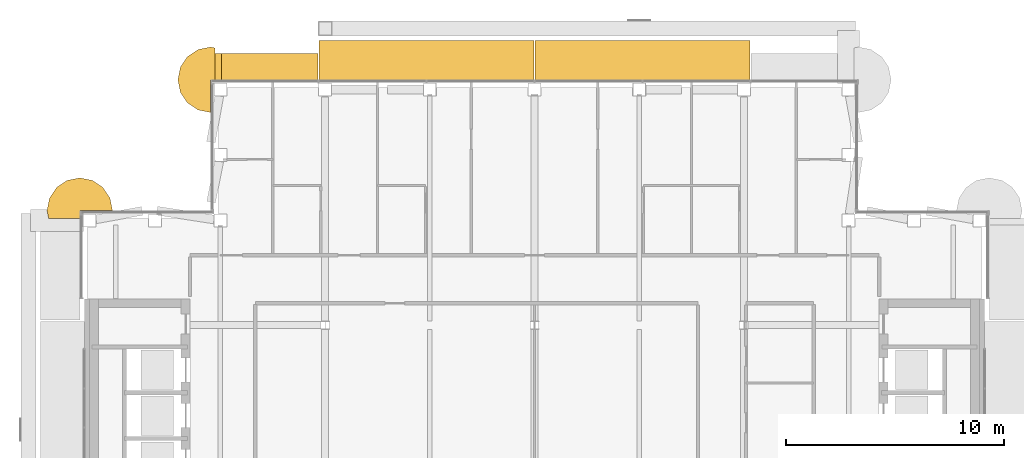
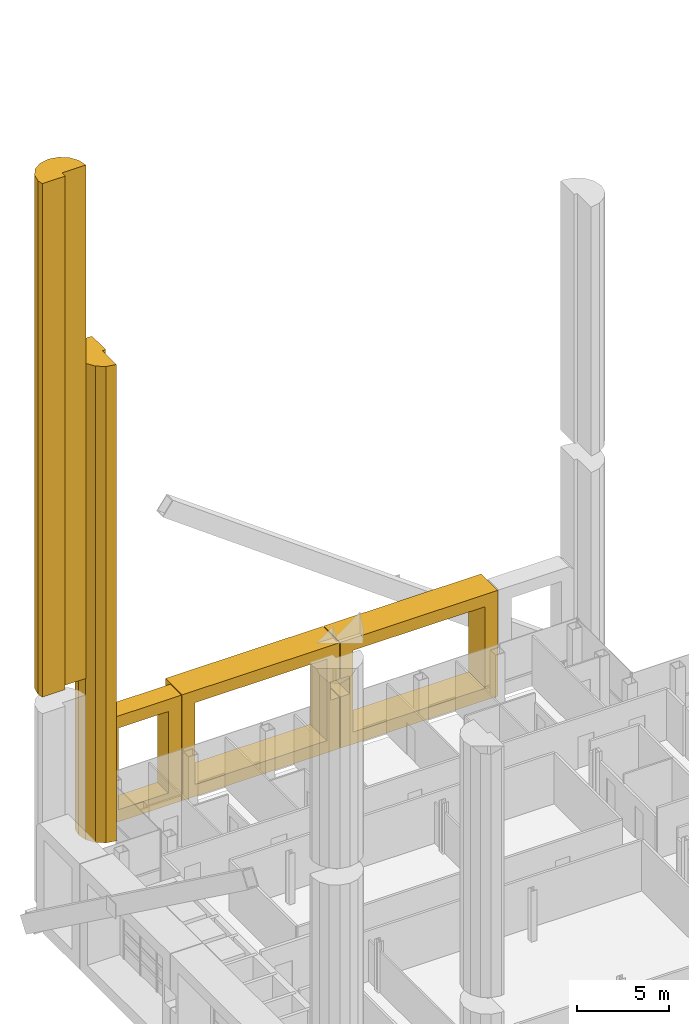
# One storey, part 26 of 29: 5 coverings.
"""IFC4 building model written with IfcOpenShell, lengths in metres."""

from ifc_helpers import new_model, si_unit, direction, frame, origin, place, context, subcontext, project, spatial, polyline, outline, extrude, material, type_object, element, save


model = new_model("IFC4")

# Units and contexts
model_context = context("Model", 3, precision=1e-05, world=origin(), true_north=direction((0.0, 1.0)))
body_context = subcontext(model_context, "Body", "Model", "MODEL_VIEW")
ifc_project = project(units=[si_unit("LENGTHUNIT", "METRE"), si_unit("AREAUNIT", "SQUARE_METRE"), si_unit("VOLUMEUNIT", "CUBIC_METRE"), si_unit("PLANEANGLEUNIT", "RADIAN"), si_unit("MASSUNIT", "GRAM", prefix="KILO")], contexts=[model_context])

# Site, building, storey
site_placement = place(None, origin())
site = spatial("IfcSite", under=ifc_project, at=site_placement, CompositionType="ELEMENT")
building_placement = place(site_placement, origin())
building = spatial("IfcBuilding", under=site, at=building_placement, Name="Cobrizo Arcos Hotel Tower", CompositionType="ELEMENT")
storey_placement = place(building_placement, frame((0.0, 0.0, 241.0)))
storey = spatial("IfcBuildingStorey", under=building, at=storey_placement, Name="L63", CompositionType="ELEMENT", Elevation=241.0)

# Coverings
ifc_material_1 = material(Name="Aluminium 6063-T6 anodised bronze", Category="aluminium")
covering_type_1 = type_object("IfcCoveringType", Name="FIN-F 1200", PredefinedType="CLADDING", material=ifc_material_1)
covering_1_placement = place(storey_placement, frame((-9.925048828125, 20.85009765625, 0.0), z_axis=(0.0, 1.0, 0.0), x_axis=(-1.0, 0.0, 0.0)))
element("IfcCovering", 1, at=covering_1_placement, inside=storey, type_object=covering_type_1, Name="Fin frame 366", PredefinedType="CLADDING", context=body_context, shape_type="SweptSolid", body=[
    extrude(outline(polyline([(0.0, 7.0), (0.0, 0.0), (4.425048828125, 0.0), (4.72509765625, 0.300048828125), (4.72509765625, 6.699951171875), (4.425048828125, 7.0), (0.0, 7.0)]), holes=[polyline([(3.925048828125, 0.800048828125), (0.800048828125, 0.800048828125), (0.800048828125, 6.199951171875), (3.925048828125, 6.199951171875), (3.925048828125, 0.800048828125)])]), origin(), (0.0, 0.0, 1.0), 1.199951171875),
])
covering_type_2 = type_object("IfcCoveringType", Name="FIN-F 1800", PredefinedType="CLADDING", material=ifc_material_1)
covering_2_placement = place(storey_placement, frame((9.875, 20.85009765625, 0.0), z_axis=(0.0, 1.0, 0.0), x_axis=(-1.0, 0.0, 0.0)))
element("IfcCovering", 2, at=covering_2_placement, inside=storey, type_object=covering_type_2, Name="Fin frame 364", PredefinedType="CLADDING", context=body_context, shape_type="SweptSolid", body=[
    extrude(outline(polyline([(9.85009765625, 0.0), (9.85009765625, 3.39794921875), (9.27294921875, 3.39794921875), (9.27294921875, 4.60205078125), (9.85009765625, 4.60205078125), (9.85009765625, 7.0), (0.0, 7.0), (0.0, 0.0), (9.85009765625, 0.0)]), holes=[polyline([(9.050048828125, 0.800048828125), (0.800048828125, 0.800048828125), (0.800048828125, 6.199951171875), (9.050048828125, 6.199951171875), (9.050048828125, 0.800048828125)])]), origin(), (0.0, 0.0, 1.0), 1.7998046875),
])
covering_3_placement = place(storey_placement, frame((-0.02490234375, 20.85009765625, 0.0), z_axis=(0.0, 1.0, 0.0), x_axis=(-1.0, 0.0, 0.0)))
element("IfcCovering", 3, at=covering_3_placement, inside=storey, type_object=covering_type_2, Name="Fin frame 365", PredefinedType="CLADDING", context=body_context, shape_type="SweptSolid", body=[
    extrude(outline(polyline([(0.0, 7.0), (0.0, 4.60205078125), (0.576904296875, 4.60205078125), (0.576904296875, 3.39794921875), (0.0, 3.39794921875), (0.0, 0.0), (9.85009765625, 0.0), (9.85009765625, 7.0), (0.0, 7.0)]), holes=[polyline([(9.050048828125, 0.800048828125), (0.800048828125, 0.800048828125), (0.800048828125, 6.199951171875), (9.050048828125, 6.199951171875), (9.050048828125, 0.800048828125)])]), origin(), (0.0, 0.0, 1.0), 1.7998046875),
])
ifc_material_2 = material(Name="Aluminium 6063-T6 anodised pale", Category="aluminium")
covering_type_3 = type_object("IfcCoveringType", Name="RB-2 notch bullnose roll R1500", PredefinedType="CLADDING", material=ifc_material_2)
covering_4_placement = place(storey_placement, origin())
element("IfcCovering", 4, at=covering_4_placement, inside=storey, type_object=covering_type_3, Name="Notch bullnose roll 34", PredefinedType="CLADDING", context=body_context, shape_type="SweptSolid", body=[
    extrude(outline(polyline([(-15.91064453125, 19.789306640625), (-15.424072265625, 19.464111328125), (-14.85009765625, 19.35009765625), (-14.85009765625, 20.85009765625), (-14.64990234375, 20.85009765625), (-14.64990234375, 22.310302734375), (-14.85009765625, 22.35009765625), (-15.424072265625, 22.23583984375), (-15.91064453125, 21.91064453125), (-16.23583984375, 21.424072265625), (-16.35009765625, 20.85009765625), (-16.23583984375, 20.27587890625), (-15.91064453125, 19.789306640625)])), origin(), (0.0, 0.0, 1.0), 31.5),
])
covering_5_placement = place(storey_placement, frame((0.0, 0.0, 15.050048828125)))
element("IfcCovering", 5, at=covering_5_placement, inside=storey, type_object=covering_type_3, Name="Notch bullnose roll 39 part 2", PredefinedType="CLADDING", context=body_context, shape_type="SweptSolid", body=[
    extrude(outline(polyline([(-19.789306640625, 15.91064453125), (-20.27587890625, 16.23583984375), (-20.85009765625, 16.35009765625), (-21.424072265625, 16.23583984375), (-21.91064453125, 15.91064453125), (-22.23583984375, 15.424072265625), (-22.35009765625, 14.85009765625), (-22.280517578125, 14.5), (-20.85009765625, 14.5), (-20.85009765625, 14.85009765625), (-19.35009765625, 14.85009765625), (-19.464111328125, 15.424072265625), (-19.789306640625, 15.91064453125)])), origin(), (0.0, 0.0, 1.0), 33.949951171875),
])

save(model, "model.ifc")
